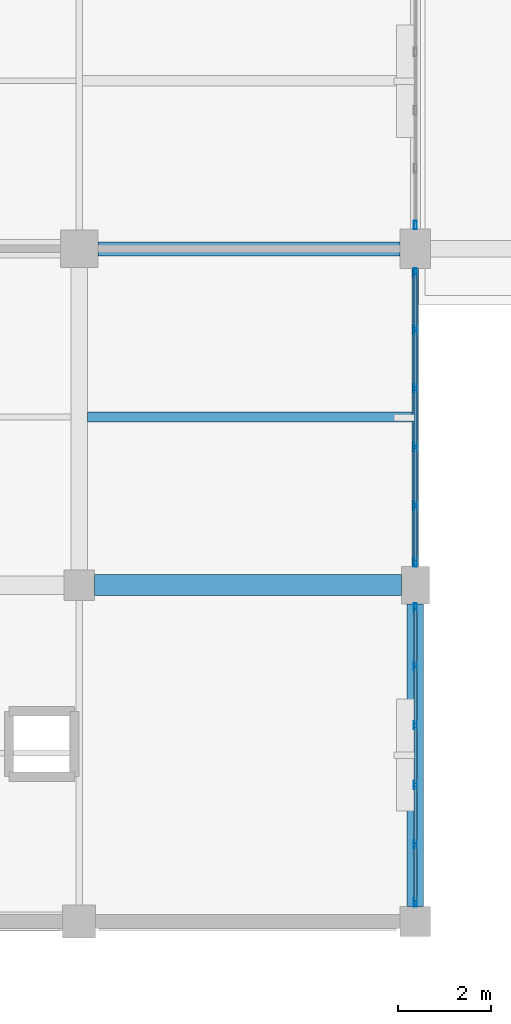
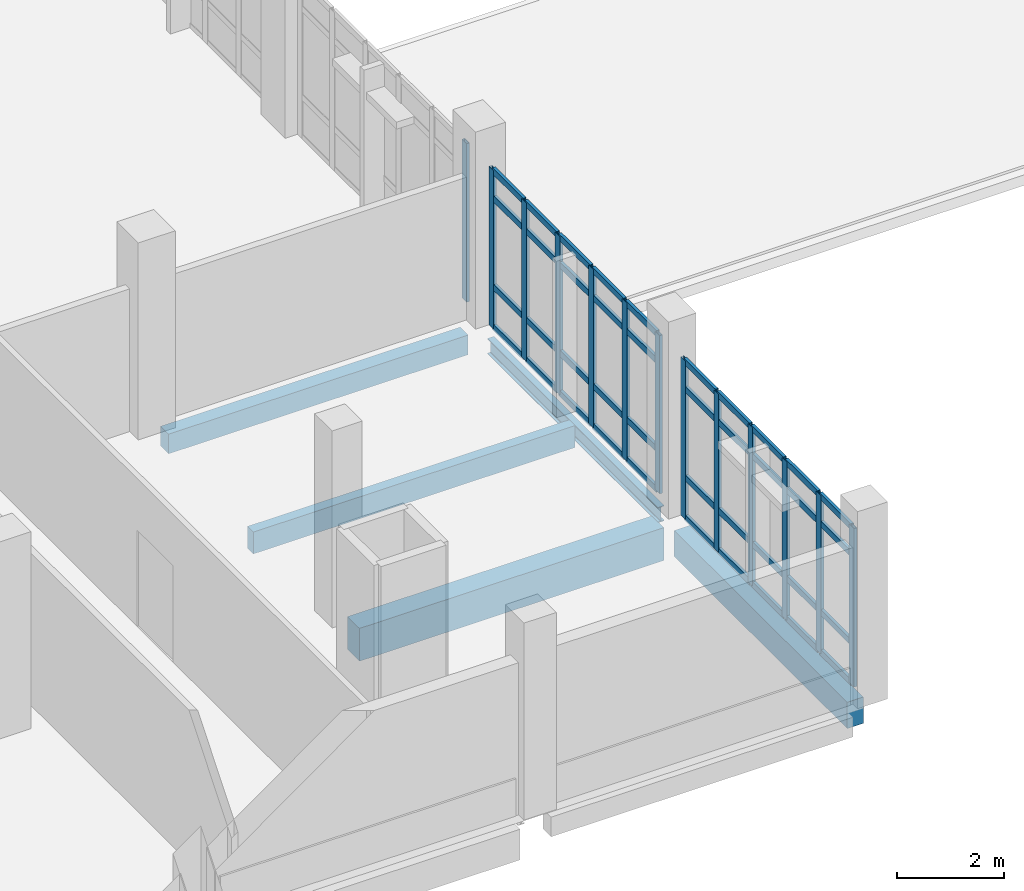
# One storey, part 13 of 134: 53 members, 5 beams, 3 elements without a shape of their own.
"""IFC4 building model written with IfcOpenShell, lengths in metres."""

import ifcopenshell
import ifcopenshell.guid

model = None  # the IFC model being written
_history = None  # IfcOwnerHistory: only IFC2X3 demands one
_inside = {}  # id of a spatial element -> (the spatial element, [elements in it])
_under = {}  # id of a project, library or spatial element -> (it, [spatial elements below it])
_declared = {}  # id of a project -> (the project, [libraries it declares])
_typed = {}  # id of a type object -> (the type object, [elements of that type])
_made_of = {}  # id of a material, layer set ... -> (it, [elements and type objects made of it])


def new_model(schema):
    """Start an empty IFC model of exactly this schema.

    Asked for "IFC4X3", IfcOpenShell would pick the latest addendum, in which some entities
    have other attributes; the version numbers below select the first issue.
    IFC2X3 requires an IfcOwnerHistory on every rooted entity: one is made here for all.
    """
    global model, _history
    if schema == "IFC4X3":
        model = ifcopenshell.file(schema_version=(4, 3, 0, 0))
    else:
        model = ifcopenshell.file(schema=schema)
    _inside.clear()
    _under.clear()
    _declared.clear()
    _typed.clear()
    _made_of.clear()
    _history = None
    if model.schema == "IFC2X3":
        org = make("IfcOrganization", Name="unknown")
        user = make(
            "IfcPersonAndOrganization",
            ThePerson=make("IfcPerson", FamilyName="unknown"),
            TheOrganization=org,
        )
        app = make(
            "IfcApplication",
            ApplicationDeveloper=org,
            Version="unknown",
            ApplicationFullName="unknown",
            ApplicationIdentifier="unknown",
        )
        _history = make(
            "IfcOwnerHistory",
            OwningUser=user,
            OwningApplication=app,
            ChangeAction="ADDED",
            CreationDate=0,
        )
    return model


def make(cls, **values):
    """One entity of the class cls with the attributes given. An attribute that is None is left unset."""
    return model.create_entity(
        cls, **{name: value for name, value in values.items() if value is not None}
    )


def rooted(cls, **values):
    """An entity with a GlobalId (a new one), such as an element, a storey or a relation."""
    return make(cls, GlobalId=ifcopenshell.guid.new(), OwnerHistory=_history, **values)


def si_unit(unit_type, name, prefix=None):
    """IfcSIUnit, for example si_unit("LENGTHUNIT", "METRE", prefix="MILLI")."""
    return make("IfcSIUnit", UnitType=unit_type, Prefix=prefix, Name=name)


def assignment(units):
    """IfcUnitAssignment: the units of a project."""
    return None if units is None else make("IfcUnitAssignment", Units=units)


def point(xyz):
    """IfcCartesianPoint."""
    return None if xyz is None else make("IfcCartesianPoint", Coordinates=xyz)


def direction(xyz):
    """IfcDirection."""
    return None if xyz is None else make("IfcDirection", DirectionRatios=xyz)


def frame(location, z_axis=None, x_axis=None):
    """IfcAxis2Placement3D, a coordinate frame: its origin and axes. An axis left out is left unset."""
    return make(
        "IfcAxis2Placement3D",
        Location=point(location),
        Axis=direction(z_axis),
        RefDirection=direction(x_axis),
    )


def frame_2d(location, x_axis=None):
    """IfcAxis2Placement2D, a coordinate frame in the plane: its origin and x axis."""
    return make(
        "IfcAxis2Placement2D", Location=point(location), RefDirection=direction(x_axis)
    )


def origin():
    """The frame at (0, 0, 0) with its axes left unset."""
    return frame((0.0, 0.0, 0.0))


def origin_2d():
    """The frame at (0, 0) in the plane with its x axis left unset."""
    return frame_2d((0.0, 0.0))


def place(relative_to, where):
    """IfcLocalPlacement: puts the frame where relative to a parent placement (None: the world)."""
    return make(
        "IfcLocalPlacement", PlacementRelTo=relative_to, RelativePlacement=where
    )


def context(
    kind, dimensions, precision=None, world=None, true_north=None, identifier=None
):
    """IfcGeometricRepresentationContext, for example the 3D "Model" context."""
    return make(
        "IfcGeometricRepresentationContext",
        ContextIdentifier=identifier,
        ContextType=kind,
        CoordinateSpaceDimension=dimensions,
        Precision=precision,
        WorldCoordinateSystem=world,
        TrueNorth=true_north,
    )


def subcontext(parent, identifier, kind, view, scale=None):
    """IfcGeometricRepresentationSubContext, for example "Body" below "Model"."""
    return make(
        "IfcGeometricRepresentationSubContext",
        ContextIdentifier=identifier,
        ContextType=kind,
        ParentContext=parent,
        TargetScale=scale,
        TargetView=view,
    )


def project(units=None, contexts=None):
    """IfcProject with its units and contexts."""
    return rooted(
        "IfcProject",
        Name="project",
        RepresentationContexts=contexts,
        UnitsInContext=assignment(units),
    )


def spatial(cls, under=None, at=None, **own):
    """A site, building, storey or space (cls), placed at a placement, below another one or the project."""
    s = rooted(cls, ObjectPlacement=at, **own)
    if under is not None:
        _under.setdefault(under.id(), (under, []))[1].append(s)
    return s


def profile(cls, at=None, kind="AREA", **sizes):
    """A parametric profile (cls). Its sizes go by their IFC names, for example OverallWidth=200.0."""
    return make(cls, ProfileType=kind, Position=at, **sizes)


def rectangle(**sizes):
    """IfcRectangleProfileDef."""
    return profile("IfcRectangleProfileDef", **sizes)


def hollow_rectangle(**sizes):
    """IfcRectangleHollowProfileDef."""
    return profile("IfcRectangleHollowProfileDef", **sizes)


def i_section(**sizes):
    """IfcIShapeProfileDef."""
    return profile("IfcIShapeProfileDef", **sizes)


def extrude(swept, where, along, depth):
    """IfcExtrudedAreaSolid: the profile swept, set in the frame where, extruded along a direction by depth."""
    return make(
        "IfcExtrudedAreaSolid",
        SweptArea=swept,
        Position=where,
        ExtrudedDirection=direction(along),
        Depth=depth,
    )


def shape(context_of_items, identifier, shape_type, items):
    """IfcShapeRepresentation: the items that make up one representation, for example the "Body"."""
    return make(
        "IfcShapeRepresentation",
        ContextOfItems=context_of_items,
        RepresentationIdentifier=identifier,
        RepresentationType=shape_type,
        Items=items,
    )


def material(Name=None, Category=None):
    """IfcMaterial."""
    return make("IfcMaterial", Name=Name, Category=Category)


def material_profile(
    of_material, cross_section, Name=None, Category=None, Priority=None
):
    """IfcMaterialProfile: a cross section and its material."""
    return make(
        "IfcMaterialProfile",
        Name=Name,
        Material=of_material,
        Profile=cross_section,
        Priority=Priority,
        Category=Category,
    )


def profile_set(profiles, Name=None, composite=None):
    """IfcMaterialProfileSet."""
    return make(
        "IfcMaterialProfileSet",
        Name=Name,
        MaterialProfiles=profiles,
        CompositeProfile=composite,
    )


def made_of(thing, what):
    """Note that an element or type object is made of a material, layer set ...; save() writes the relation."""
    if what is not None:
        _made_of.setdefault(what.id(), (what, []))[1].append(thing)
    return thing


def type_object(cls, material=None, **own):
    """A type object (cls), such as IfcWallType, which elements share."""
    return made_of(rooted(cls, **own), material)


def element(
    cls,
    number,
    at=None,
    inside=None,
    cuts=None,
    type_object=None,
    material=None,
    context=None,
    identifier="Body",
    shape_type=None,
    held_by="IfcProductDefinitionShape",
    body=None,
    shapes=None,
    **own,
):
    """One element of the class cls, such as IfcWall. Its Tag is "e" and its number.

    at: its placement. inside: the storey or other place that contains it. cuts: it is an
    opening in that element (IfcRelVoidsElement). A single representation is given by context,
    identifier, shape_type and body (its items); several are given by shapes. held_by: the class
    of the entity that holds the representations. save() writes the other relations.
    """
    e = rooted(cls, Tag="e%d" % number, ObjectPlacement=at, **own)
    if body is not None:
        shapes = [shape(context, identifier, shape_type, body)]
    if shapes is not None:
        e.Representation = make(held_by, Representations=shapes)
    if inside is not None:
        _inside.setdefault(inside.id(), (inside, []))[1].append(e)
    if cuts is not None:
        rooted(
            "IfcRelVoidsElement", RelatingBuildingElement=cuts, RelatedOpeningElement=e
        )
    if type_object is not None:
        _typed.setdefault(type_object.id(), (type_object, []))[1].append(e)
    return made_of(e, material)


def aggregate(whole, parts):
    """IfcRelAggregates: a whole, such as a stair, and the parts it consists of."""
    return rooted("IfcRelAggregates", RelatingObject=whole, RelatedObjects=parts)


def save(model, path):
    """Write the relations noted so far, then the file.

    IfcRelAggregates (storeys below a building ...), IfcRelContainedInSpatialStructure (elements
    in a storey), IfcRelDefinesByType, IfcRelAssociatesMaterial and IfcRelDeclares: one each for
    every whole, place, type object, material and project.
    """
    for whole, parts in _under.values():
        aggregate(whole, parts)
    for where, things in _inside.values():
        rooted(
            "IfcRelContainedInSpatialStructure",
            RelatedElements=things,
            RelatingStructure=where,
        )
    for kind, things in _typed.values():
        rooted("IfcRelDefinesByType", RelatedObjects=things, RelatingType=kind)
    for what, things in _made_of.values():
        rooted("IfcRelAssociatesMaterial", RelatedObjects=things, RelatingMaterial=what)
    for by, libraries in _declared.values():
        rooted("IfcRelDeclares", RelatingContext=by, RelatedDefinitions=libraries)
    model.write(path)


model = new_model("IFC4")

# Units and contexts
model_context = context("Model", 3, precision=1e-05, world=origin(), true_north=direction((0.0, 1.0)))
body_context = subcontext(model_context, "Body", "Model", "MODEL_VIEW")
ifc_project = project(units=[si_unit("LENGTHUNIT", "METRE"), si_unit("AREAUNIT", "SQUARE_METRE"), si_unit("VOLUMEUNIT", "CUBIC_METRE"), si_unit("PLANEANGLEUNIT", "RADIAN"), si_unit("MASSUNIT", "GRAM", prefix="KILO")], contexts=[model_context])

# Site, building, storey
site_placement = place(None, origin())
site = spatial("IfcSite", under=ifc_project, at=site_placement, CompositionType="ELEMENT")
building_placement = place(site_placement, origin())
building = spatial("IfcBuilding", under=site, at=building_placement, Name="Kalluvel Institute of Natural Sciences", CompositionType="ELEMENT")
storey_placement = place(building_placement, frame((0.0, 0.0, 5.39990234375)))
storey = spatial("IfcBuildingStorey", under=building, at=storey_placement, Name="L01", CompositionType="ELEMENT", Elevation=5.39990234375)

# Beams
ifc_material_1 = material(Name="Steel E350 Grade 350", Category="steel")
ifc_material_profile_1 = material_profile(ifc_material_1, i_section(OverallWidth=0.139892578125, OverallDepth=0.35009765625, WebThickness=0.008056640625, FlangeThickness=0.01416015625, FilletRadius=0.013916015625, at=origin_2d()), Name="ISMB 350")
ifc_profile_set_1 = profile_set([ifc_material_profile_1], Name="Steel E350 Grade 350")
beam_type_1 = type_object("IfcBeamType", Name="BM-ISMB350", PredefinedType="BEAM", material=ifc_profile_set_1)
beam_1_placement = place(storey_placement, frame((35.60009765625, 21.60009765625, -0.474853515625), z_axis=(0.0, 1.0, 0.0), x_axis=(-1.0, 0.0, 0.0)))
element("IfcBeam", 1, at=beam_1_placement, inside=storey, type_object=beam_type_1, Name="L01 girder GIR-L01-NS-X356-Y212", PredefinedType="BEAM", context=body_context, shape_type="SweptSolid", body=[
    extrude(i_section(OverallWidth=0.139892578125, OverallDepth=0.35009765625, WebThickness=0.008056640625, FlangeThickness=0.01416015625, FilletRadius=0.013916015625, at=origin_2d()), origin(), (0.0, 0.0, 1.0), 6.375),
])
ifc_material_2 = material(Name="Concrete M40", Category="concrete")
ifc_material_profile_2 = material_profile(ifc_material_2, rectangle(XDim=0.35009765625, YDim=0.60009765625, at=origin_2d()), Name="RCB 350x600")
ifc_profile_set_2 = profile_set([ifc_material_profile_2], Name="Concrete M40")
beam_type_2 = type_object("IfcBeamType", Name="BM-RC350x600", PredefinedType="BEAM", material=ifc_profile_set_2)
beam_2_placement = place(storey_placement, frame((35.60009765625, 14.324951171875, -0.599853515625), z_axis=(0.0, 1.0, 0.0), x_axis=(-1.0, 0.0, 0.0)))
element("IfcBeam", 2, at=beam_2_placement, inside=storey, type_object=beam_type_2, Name="L01 girder GIR-L01-NS-X356-Y140", PredefinedType="BEAM", context=body_context, shape_type="SweptSolid", body=[
    extrude(rectangle(XDim=0.35009765625, YDim=0.60009765625, at=origin_2d()), origin(), (0.0, 0.0, 1.0), 6.47509765625),
])
ifc_material_profile_3 = material_profile(ifc_material_2, rectangle(XDim=0.449951171875, YDim=0.75, at=origin_2d()), Name="RCB 450x750")
ifc_profile_set_3 = profile_set([ifc_material_profile_3], Name="Concrete M40")
beam_type_3 = type_object("IfcBeamType", Name="BM-RC450x750", PredefinedType="BEAM", material=ifc_profile_set_3)
beam_3_placement = place(storey_placement, frame((28.72509765625, 21.199951171875, -0.6748046875), z_axis=(1.0, 0.0, 0.0), x_axis=(0.0, 1.0, 0.0)))
element("IfcBeam", 3, at=beam_3_placement, inside=storey, type_object=beam_type_3, Name="L01 girder GIR-L01-EW-X284-Y212", PredefinedType="BEAM", context=body_context, shape_type="SweptSolid", body=[
    extrude(rectangle(XDim=0.449951171875, YDim=0.75, at=origin_2d()), origin(), (0.0, 0.0, 1.0), 6.574951171875),
])

# Curtain wall, members
ifc_material_3 = material(Name="Aluminium AW-6063 T6", Category="aluminium")
curtain_wall_type = type_object("IfcCurtainWallType", Name="CW-DRY-45", PredefinedType="USERDEFINED", material=ifc_material_3)
curtain_wall_1_placement = place(storey_placement, origin())
curtain_wall_1 = element("IfcCurtainWall", 4, at=curtain_wall_1_placement, inside=storey, type_object=curtain_wall_type, Name="L01 Gothic lancet curtain wall CWA-L01-X356-Y144", ObjectType="UNITISED LANCET FACADE", PredefinedType="USERDEFINED")
ifc_material_profile_4 = material_profile(ifc_material_3, hollow_rectangle(XDim=0.06494140625, YDim=0.179931640625, WallThickness=0.00439453125, at=origin_2d()), Name="CWM 65x180")
ifc_profile_set_4 = profile_set([ifc_material_profile_4], Name="Aluminium AW-6063 T6")
member_type_1 = type_object("IfcMemberType", Name="CWM-65x180", PredefinedType="MULLION", material=ifc_profile_set_4)
member_1_placement = place(storey_placement, frame((35.60009765625, 14.407470703125, 0.0), z_axis=(0.0, 0.0, 1.0), x_axis=(-1.0, 0.0, 0.0)))
member_1 = element("IfcMember", 5, at=member_1_placement, type_object=member_type_1, Name="CW-03 mullion 1", PredefinedType="MULLION", context=body_context, shape_type="SweptSolid", body=[
    extrude(hollow_rectangle(XDim=0.06494140625, YDim=0.179931640625, WallThickness=0.00439453125, at=origin_2d()), origin(), (0.0, 0.0, 1.0), 3.6201171875),
])
member_2_placement = place(storey_placement, frame((35.60009765625, 15.64990234375, 0.0), z_axis=(0.0, 0.0, 1.0), x_axis=(-1.0, 0.0, 0.0)))
member_2 = element("IfcMember", 6, at=member_2_placement, type_object=member_type_1, Name="CW-03 mullion 2", PredefinedType="MULLION", context=body_context, shape_type="SweptSolid", body=[
    extrude(hollow_rectangle(XDim=0.06494140625, YDim=0.179931640625, WallThickness=0.00439453125, at=origin_2d()), origin(), (0.0, 0.0, 1.0), 3.6201171875),
])
member_3_placement = place(storey_placement, frame((35.60009765625, 16.925048828125, 0.0), z_axis=(0.0, 0.0, 1.0), x_axis=(-1.0, 0.0, 0.0)))
member_3 = element("IfcMember", 7, at=member_3_placement, type_object=member_type_1, Name="CW-03 mullion 3", PredefinedType="MULLION", context=body_context, shape_type="SweptSolid", body=[
    extrude(hollow_rectangle(XDim=0.06494140625, YDim=0.179931640625, WallThickness=0.00439453125, at=origin_2d()), origin(), (0.0, 0.0, 1.0), 3.6201171875),
])
member_4_placement = place(storey_placement, frame((35.60009765625, 18.199951171875, 0.0), z_axis=(0.0, 0.0, 1.0), x_axis=(-1.0, 0.0, 0.0)))
member_4 = element("IfcMember", 8, at=member_4_placement, type_object=member_type_1, Name="CW-03 mullion 4", PredefinedType="MULLION", context=body_context, shape_type="SweptSolid", body=[
    extrude(hollow_rectangle(XDim=0.06494140625, YDim=0.179931640625, WallThickness=0.00439453125, at=origin_2d()), origin(), (0.0, 0.0, 1.0), 3.6201171875),
])
member_5_placement = place(storey_placement, frame((35.60009765625, 19.47509765625, 0.0), z_axis=(0.0, 0.0, 1.0), x_axis=(-1.0, 0.0, 0.0)))
member_5 = element("IfcMember", 9, at=member_5_placement, type_object=member_type_1, Name="CW-03 mullion 5", PredefinedType="MULLION", context=body_context, shape_type="SweptSolid", body=[
    extrude(hollow_rectangle(XDim=0.06494140625, YDim=0.179931640625, WallThickness=0.00439453125, at=origin_2d()), origin(), (0.0, 0.0, 1.0), 3.6201171875),
])
member_6_placement = place(storey_placement, frame((35.60009765625, 20.717529296875, 0.0), z_axis=(0.0, 0.0, 1.0), x_axis=(-1.0, 0.0, 0.0)))
member_6 = element("IfcMember", 10, at=member_6_placement, type_object=member_type_1, Name="CW-03 mullion 6", PredefinedType="MULLION", context=body_context, shape_type="SweptSolid", body=[
    extrude(hollow_rectangle(XDim=0.06494140625, YDim=0.179931640625, WallThickness=0.00439453125, at=origin_2d()), origin(), (0.0, 0.0, 1.0), 3.6201171875),
])

curtain_wall_2_placement = place(storey_placement, origin())
curtain_wall_2 = element("IfcCurtainWall", 11, at=curtain_wall_2_placement, inside=storey, type_object=curtain_wall_type, Name="L01 Gothic lancet curtain wall CWA-L01-X356-Y216", ObjectType="UNITISED LANCET FACADE", PredefinedType="USERDEFINED")
member_7_placement = place(storey_placement, frame((35.60009765625, 21.6826171875, 0.0), z_axis=(0.0, 0.0, 1.0), x_axis=(-1.0, 0.0, 0.0)))
member_7 = element("IfcMember", 12, at=member_7_placement, type_object=member_type_1, Name="CW-03 mullion 1", PredefinedType="MULLION", context=body_context, shape_type="SweptSolid", body=[
    extrude(hollow_rectangle(XDim=0.06494140625, YDim=0.179931640625, WallThickness=0.00439453125, at=origin_2d()), origin(), (0.0, 0.0, 1.0), 3.6201171875),
])
member_8_placement = place(storey_placement, frame((35.60009765625, 22.905029296875, 0.0), z_axis=(0.0, 0.0, 1.0), x_axis=(-1.0, 0.0, 0.0)))
member_8 = element("IfcMember", 13, at=member_8_placement, type_object=member_type_1, Name="CW-03 mullion 2", PredefinedType="MULLION", context=body_context, shape_type="SweptSolid", body=[
    extrude(hollow_rectangle(XDim=0.06494140625, YDim=0.179931640625, WallThickness=0.00439453125, at=origin_2d()), origin(), (0.0, 0.0, 1.0), 3.6201171875),
])
member_9_placement = place(storey_placement, frame((35.60009765625, 24.159912109375, 0.0), z_axis=(0.0, 0.0, 1.0), x_axis=(-1.0, 0.0, 0.0)))
member_9 = element("IfcMember", 14, at=member_9_placement, type_object=member_type_1, Name="CW-03 mullion 3", PredefinedType="MULLION", context=body_context, shape_type="SweptSolid", body=[
    extrude(hollow_rectangle(XDim=0.06494140625, YDim=0.179931640625, WallThickness=0.00439453125, at=origin_2d()), origin(), (0.0, 0.0, 1.0), 3.6201171875),
])
member_10_placement = place(storey_placement, frame((35.60009765625, 25.4150390625, 0.0), z_axis=(0.0, 0.0, 1.0), x_axis=(-1.0, 0.0, 0.0)))
member_10 = element("IfcMember", 15, at=member_10_placement, type_object=member_type_1, Name="CW-03 mullion 4", PredefinedType="MULLION", context=body_context, shape_type="SweptSolid", body=[
    extrude(hollow_rectangle(XDim=0.06494140625, YDim=0.179931640625, WallThickness=0.00439453125, at=origin_2d()), origin(), (0.0, 0.0, 1.0), 3.6201171875),
])
member_11_placement = place(storey_placement, frame((35.60009765625, 26.669921875, 0.0), z_axis=(0.0, 0.0, 1.0), x_axis=(-1.0, 0.0, 0.0)))
member_11 = element("IfcMember", 16, at=member_11_placement, type_object=member_type_1, Name="CW-03 mullion 5", PredefinedType="MULLION", context=body_context, shape_type="SweptSolid", body=[
    extrude(hollow_rectangle(XDim=0.06494140625, YDim=0.179931640625, WallThickness=0.00439453125, at=origin_2d()), origin(), (0.0, 0.0, 1.0), 3.6201171875),
])
member_12_placement = place(storey_placement, frame((35.60009765625, 27.892578125, 0.0), z_axis=(0.0, 0.0, 1.0), x_axis=(-1.0, 0.0, 0.0)))
member_12 = element("IfcMember", 17, at=member_12_placement, type_object=member_type_1, Name="CW-03 mullion 6", PredefinedType="MULLION", context=body_context, shape_type="SweptSolid", body=[
    extrude(hollow_rectangle(XDim=0.06494140625, YDim=0.179931640625, WallThickness=0.00439453125, at=origin_2d()), origin(), (0.0, 0.0, 1.0), 3.6201171875),
])

# Curtain wall, member
curtain_wall_3_placement = place(storey_placement, origin())
curtain_wall_3 = element("IfcCurtainWall", 18, at=curtain_wall_3_placement, inside=storey, type_object=curtain_wall_type, Name="L01 Gothic lancet curtain wall CWA-L01-X356-Y289", ObjectType="UNITISED LANCET FACADE", PredefinedType="USERDEFINED")
member_13_placement = place(storey_placement, frame((35.60009765625, 28.907470703125, 0.0), z_axis=(0.0, 0.0, 1.0), x_axis=(-1.0, 0.0, 0.0)))
member_13 = element("IfcMember", 19, at=member_13_placement, type_object=member_type_1, Name="CW-03 mullion 1", PredefinedType="MULLION", context=body_context, shape_type="SweptSolid", body=[
    extrude(hollow_rectangle(XDim=0.06494140625, YDim=0.179931640625, WallThickness=0.00439453125, at=origin_2d()), origin(), (0.0, 0.0, 1.0), 3.6201171875),
])
aggregate(curtain_wall_3, [member_13])

# Member
ifc_material_profile_5 = material_profile(ifc_material_3, hollow_rectangle(XDim=0.06494140625, YDim=0.139892578125, WallThickness=0.00439453125, at=origin_2d()), Name="CWT 65x140")
ifc_profile_set_5 = profile_set([ifc_material_profile_5], Name="Aluminium AW-6063 T6")
member_type_2 = type_object("IfcMemberType", Name="CWT-65x140", PredefinedType="USERDEFINED", material=ifc_profile_set_5)
member_14_placement = place(storey_placement, frame((35.60009765625, 14.43994140625, 0.03271484375), z_axis=(0.0, 1.0, 0.0), x_axis=(-1.0, 0.0, 0.0)))
member_14 = element("IfcMember", 20, at=member_14_placement, type_object=member_type_2, Name="CW-03 transom 1.1", ObjectType="TRANSOM", PredefinedType="USERDEFINED", context=body_context, shape_type="SweptSolid", body=[
    extrude(hollow_rectangle(XDim=0.06494140625, YDim=0.139892578125, WallThickness=0.00439453125, at=origin_2d()), origin(), (0.0, 0.0, 1.0), 1.177490234375),
])

member_15_placement = place(storey_placement, frame((35.60009765625, 14.43994140625, 0.9501953125), z_axis=(0.0, 1.0, 0.0), x_axis=(-1.0, 0.0, 0.0)))
member_15 = element("IfcMember", 21, at=member_15_placement, type_object=member_type_2, Name="CW-03 transom 1.2", ObjectType="TRANSOM", PredefinedType="USERDEFINED", context=body_context, shape_type="SweptSolid", body=[
    extrude(hollow_rectangle(XDim=0.06494140625, YDim=0.139892578125, WallThickness=0.00439453125, at=origin_2d()), origin(), (0.0, 0.0, 1.0), 1.177490234375),
])

member_16_placement = place(storey_placement, frame((35.60009765625, 14.43994140625, 2.97021484375), z_axis=(0.0, 1.0, 0.0), x_axis=(-1.0, 0.0, 0.0)))
member_16 = element("IfcMember", 22, at=member_16_placement, type_object=member_type_2, Name="CW-03 transom 1.3", ObjectType="TRANSOM", PredefinedType="USERDEFINED", context=body_context, shape_type="SweptSolid", body=[
    extrude(hollow_rectangle(XDim=0.06494140625, YDim=0.139892578125, WallThickness=0.00439453125, at=origin_2d()), origin(), (0.0, 0.0, 1.0), 1.177490234375),
])

member_17_placement = place(storey_placement, frame((35.60009765625, 14.43994140625, 3.587646484375), z_axis=(0.0, 1.0, 0.0), x_axis=(-1.0, 0.0, 0.0)))
member_17 = element("IfcMember", 23, at=member_17_placement, type_object=member_type_2, Name="CW-03 transom 1.4", ObjectType="TRANSOM", PredefinedType="USERDEFINED", context=body_context, shape_type="SweptSolid", body=[
    extrude(hollow_rectangle(XDim=0.06494140625, YDim=0.139892578125, WallThickness=0.00439453125, at=origin_2d()), origin(), (0.0, 0.0, 1.0), 1.177490234375),
])

member_18_placement = place(storey_placement, frame((35.60009765625, 15.6826171875, 0.03271484375), z_axis=(0.0, 1.0, 0.0), x_axis=(-1.0, 0.0, 0.0)))
member_18 = element("IfcMember", 24, at=member_18_placement, type_object=member_type_2, Name="CW-03 transom 2.1", ObjectType="TRANSOM", PredefinedType="USERDEFINED", context=body_context, shape_type="SweptSolid", body=[
    extrude(hollow_rectangle(XDim=0.06494140625, YDim=0.139892578125, WallThickness=0.00439453125, at=origin_2d()), origin(), (0.0, 0.0, 1.0), 1.2099609375),
])

member_19_placement = place(storey_placement, frame((35.60009765625, 15.6826171875, 0.9501953125), z_axis=(0.0, 1.0, 0.0), x_axis=(-1.0, 0.0, 0.0)))
member_19 = element("IfcMember", 25, at=member_19_placement, type_object=member_type_2, Name="CW-03 transom 2.2", ObjectType="TRANSOM", PredefinedType="USERDEFINED", context=body_context, shape_type="SweptSolid", body=[
    extrude(hollow_rectangle(XDim=0.06494140625, YDim=0.139892578125, WallThickness=0.00439453125, at=origin_2d()), origin(), (0.0, 0.0, 1.0), 1.2099609375),
])

member_20_placement = place(storey_placement, frame((35.60009765625, 15.6826171875, 2.97021484375), z_axis=(0.0, 1.0, 0.0), x_axis=(-1.0, 0.0, 0.0)))
member_20 = element("IfcMember", 26, at=member_20_placement, type_object=member_type_2, Name="CW-03 transom 2.3", ObjectType="TRANSOM", PredefinedType="USERDEFINED", context=body_context, shape_type="SweptSolid", body=[
    extrude(hollow_rectangle(XDim=0.06494140625, YDim=0.139892578125, WallThickness=0.00439453125, at=origin_2d()), origin(), (0.0, 0.0, 1.0), 1.2099609375),
])

member_21_placement = place(storey_placement, frame((35.60009765625, 15.6826171875, 3.587646484375), z_axis=(0.0, 1.0, 0.0), x_axis=(-1.0, 0.0, 0.0)))
member_21 = element("IfcMember", 27, at=member_21_placement, type_object=member_type_2, Name="CW-03 transom 2.4", ObjectType="TRANSOM", PredefinedType="USERDEFINED", context=body_context, shape_type="SweptSolid", body=[
    extrude(hollow_rectangle(XDim=0.06494140625, YDim=0.139892578125, WallThickness=0.00439453125, at=origin_2d()), origin(), (0.0, 0.0, 1.0), 1.2099609375),
])

member_22_placement = place(storey_placement, frame((35.60009765625, 16.95751953125, 0.03271484375), z_axis=(0.0, 1.0, 0.0), x_axis=(-1.0, 0.0, 0.0)))
member_22 = element("IfcMember", 28, at=member_22_placement, type_object=member_type_2, Name="CW-03 transom 3.1", ObjectType="TRANSOM", PredefinedType="USERDEFINED", context=body_context, shape_type="SweptSolid", body=[
    extrude(hollow_rectangle(XDim=0.06494140625, YDim=0.139892578125, WallThickness=0.00439453125, at=origin_2d()), origin(), (0.0, 0.0, 1.0), 1.2099609375),
])

member_23_placement = place(storey_placement, frame((35.60009765625, 16.95751953125, 0.9501953125), z_axis=(0.0, 1.0, 0.0), x_axis=(-1.0, 0.0, 0.0)))
member_23 = element("IfcMember", 29, at=member_23_placement, type_object=member_type_2, Name="CW-03 transom 3.2", ObjectType="TRANSOM", PredefinedType="USERDEFINED", context=body_context, shape_type="SweptSolid", body=[
    extrude(hollow_rectangle(XDim=0.06494140625, YDim=0.139892578125, WallThickness=0.00439453125, at=origin_2d()), origin(), (0.0, 0.0, 1.0), 1.2099609375),
])

member_24_placement = place(storey_placement, frame((35.60009765625, 16.95751953125, 2.97021484375), z_axis=(0.0, 1.0, 0.0), x_axis=(-1.0, 0.0, 0.0)))
member_24 = element("IfcMember", 30, at=member_24_placement, type_object=member_type_2, Name="CW-03 transom 3.3", ObjectType="TRANSOM", PredefinedType="USERDEFINED", context=body_context, shape_type="SweptSolid", body=[
    extrude(hollow_rectangle(XDim=0.06494140625, YDim=0.139892578125, WallThickness=0.00439453125, at=origin_2d()), origin(), (0.0, 0.0, 1.0), 1.2099609375),
])

member_25_placement = place(storey_placement, frame((35.60009765625, 16.95751953125, 3.587646484375), z_axis=(0.0, 1.0, 0.0), x_axis=(-1.0, 0.0, 0.0)))
member_25 = element("IfcMember", 31, at=member_25_placement, type_object=member_type_2, Name="CW-03 transom 3.4", ObjectType="TRANSOM", PredefinedType="USERDEFINED", context=body_context, shape_type="SweptSolid", body=[
    extrude(hollow_rectangle(XDim=0.06494140625, YDim=0.139892578125, WallThickness=0.00439453125, at=origin_2d()), origin(), (0.0, 0.0, 1.0), 1.2099609375),
])

member_26_placement = place(storey_placement, frame((35.60009765625, 18.232421875, 0.03271484375), z_axis=(0.0, 1.0, 0.0), x_axis=(-1.0, 0.0, 0.0)))
member_26 = element("IfcMember", 32, at=member_26_placement, type_object=member_type_2, Name="CW-03 transom 4.1", ObjectType="TRANSOM", PredefinedType="USERDEFINED", context=body_context, shape_type="SweptSolid", body=[
    extrude(hollow_rectangle(XDim=0.06494140625, YDim=0.139892578125, WallThickness=0.00439453125, at=origin_2d()), origin(), (0.0, 0.0, 1.0), 1.2099609375),
])

member_27_placement = place(storey_placement, frame((35.60009765625, 18.232421875, 0.9501953125), z_axis=(0.0, 1.0, 0.0), x_axis=(-1.0, 0.0, 0.0)))
member_27 = element("IfcMember", 33, at=member_27_placement, type_object=member_type_2, Name="CW-03 transom 4.2", ObjectType="TRANSOM", PredefinedType="USERDEFINED", context=body_context, shape_type="SweptSolid", body=[
    extrude(hollow_rectangle(XDim=0.06494140625, YDim=0.139892578125, WallThickness=0.00439453125, at=origin_2d()), origin(), (0.0, 0.0, 1.0), 1.2099609375),
])

member_28_placement = place(storey_placement, frame((35.60009765625, 18.232421875, 2.97021484375), z_axis=(0.0, 1.0, 0.0), x_axis=(-1.0, 0.0, 0.0)))
member_28 = element("IfcMember", 34, at=member_28_placement, type_object=member_type_2, Name="CW-03 transom 4.3", ObjectType="TRANSOM", PredefinedType="USERDEFINED", context=body_context, shape_type="SweptSolid", body=[
    extrude(hollow_rectangle(XDim=0.06494140625, YDim=0.139892578125, WallThickness=0.00439453125, at=origin_2d()), origin(), (0.0, 0.0, 1.0), 1.2099609375),
])

member_29_placement = place(storey_placement, frame((35.60009765625, 18.232421875, 3.587646484375), z_axis=(0.0, 1.0, 0.0), x_axis=(-1.0, 0.0, 0.0)))
member_29 = element("IfcMember", 35, at=member_29_placement, type_object=member_type_2, Name="CW-03 transom 4.4", ObjectType="TRANSOM", PredefinedType="USERDEFINED", context=body_context, shape_type="SweptSolid", body=[
    extrude(hollow_rectangle(XDim=0.06494140625, YDim=0.139892578125, WallThickness=0.00439453125, at=origin_2d()), origin(), (0.0, 0.0, 1.0), 1.2099609375),
])

member_30_placement = place(storey_placement, frame((35.60009765625, 19.507568359375, 0.03271484375), z_axis=(0.0, 1.0, 0.0), x_axis=(-1.0, 0.0, 0.0)))
member_30 = element("IfcMember", 36, at=member_30_placement, type_object=member_type_2, Name="CW-03 transom 5.1", ObjectType="TRANSOM", PredefinedType="USERDEFINED", context=body_context, shape_type="SweptSolid", body=[
    extrude(hollow_rectangle(XDim=0.06494140625, YDim=0.139892578125, WallThickness=0.00439453125, at=origin_2d()), origin(), (0.0, 0.0, 1.0), 1.177490234375),
])

member_31_placement = place(storey_placement, frame((35.60009765625, 19.507568359375, 0.9501953125), z_axis=(0.0, 1.0, 0.0), x_axis=(-1.0, 0.0, 0.0)))
member_31 = element("IfcMember", 37, at=member_31_placement, type_object=member_type_2, Name="CW-03 transom 5.2", ObjectType="TRANSOM", PredefinedType="USERDEFINED", context=body_context, shape_type="SweptSolid", body=[
    extrude(hollow_rectangle(XDim=0.06494140625, YDim=0.139892578125, WallThickness=0.00439453125, at=origin_2d()), origin(), (0.0, 0.0, 1.0), 1.177490234375),
])

member_32_placement = place(storey_placement, frame((35.60009765625, 19.507568359375, 2.97021484375), z_axis=(0.0, 1.0, 0.0), x_axis=(-1.0, 0.0, 0.0)))
member_32 = element("IfcMember", 38, at=member_32_placement, type_object=member_type_2, Name="CW-03 transom 5.3", ObjectType="TRANSOM", PredefinedType="USERDEFINED", context=body_context, shape_type="SweptSolid", body=[
    extrude(hollow_rectangle(XDim=0.06494140625, YDim=0.139892578125, WallThickness=0.00439453125, at=origin_2d()), origin(), (0.0, 0.0, 1.0), 1.177490234375),
])

member_33_placement = place(storey_placement, frame((35.60009765625, 19.507568359375, 3.587646484375), z_axis=(0.0, 1.0, 0.0), x_axis=(-1.0, 0.0, 0.0)))
member_33 = element("IfcMember", 39, at=member_33_placement, type_object=member_type_2, Name="CW-03 transom 5.4", ObjectType="TRANSOM", PredefinedType="USERDEFINED", context=body_context, shape_type="SweptSolid", body=[
    extrude(hollow_rectangle(XDim=0.06494140625, YDim=0.139892578125, WallThickness=0.00439453125, at=origin_2d()), origin(), (0.0, 0.0, 1.0), 1.177490234375),
])

aggregate(curtain_wall_1, [member_1, member_2, member_3, member_4, member_5, member_6, member_14, member_15, member_16, member_17, member_18, member_19, member_20, member_21, member_22, member_23, member_24, member_25, member_26, member_27, member_28, member_29, member_30, member_31, member_32, member_33])

member_34_placement = place(storey_placement, frame((35.60009765625, 21.715087890625, 0.03271484375), z_axis=(0.0, 1.0, 0.0), x_axis=(-1.0, 0.0, 0.0)))
member_34 = element("IfcMember", 40, at=member_34_placement, type_object=member_type_2, Name="CW-03 transom 1.1", ObjectType="TRANSOM", PredefinedType="USERDEFINED", context=body_context, shape_type="SweptSolid", body=[
    extrude(hollow_rectangle(XDim=0.06494140625, YDim=0.139892578125, WallThickness=0.00439453125, at=origin_2d()), origin(), (0.0, 0.0, 1.0), 1.157470703125),
])

member_35_placement = place(storey_placement, frame((35.60009765625, 21.715087890625, 0.9501953125), z_axis=(0.0, 1.0, 0.0), x_axis=(-1.0, 0.0, 0.0)))
member_35 = element("IfcMember", 41, at=member_35_placement, type_object=member_type_2, Name="CW-03 transom 1.2", ObjectType="TRANSOM", PredefinedType="USERDEFINED", context=body_context, shape_type="SweptSolid", body=[
    extrude(hollow_rectangle(XDim=0.06494140625, YDim=0.139892578125, WallThickness=0.00439453125, at=origin_2d()), origin(), (0.0, 0.0, 1.0), 1.157470703125),
])

member_36_placement = place(storey_placement, frame((35.60009765625, 21.715087890625, 2.97021484375), z_axis=(0.0, 1.0, 0.0), x_axis=(-1.0, 0.0, 0.0)))
member_36 = element("IfcMember", 42, at=member_36_placement, type_object=member_type_2, Name="CW-03 transom 1.3", ObjectType="TRANSOM", PredefinedType="USERDEFINED", context=body_context, shape_type="SweptSolid", body=[
    extrude(hollow_rectangle(XDim=0.06494140625, YDim=0.139892578125, WallThickness=0.00439453125, at=origin_2d()), origin(), (0.0, 0.0, 1.0), 1.157470703125),
])

member_37_placement = place(storey_placement, frame((35.60009765625, 21.715087890625, 3.587646484375), z_axis=(0.0, 1.0, 0.0), x_axis=(-1.0, 0.0, 0.0)))
member_37 = element("IfcMember", 43, at=member_37_placement, type_object=member_type_2, Name="CW-03 transom 1.4", ObjectType="TRANSOM", PredefinedType="USERDEFINED", context=body_context, shape_type="SweptSolid", body=[
    extrude(hollow_rectangle(XDim=0.06494140625, YDim=0.139892578125, WallThickness=0.00439453125, at=origin_2d()), origin(), (0.0, 0.0, 1.0), 1.157470703125),
])

member_38_placement = place(storey_placement, frame((35.60009765625, 22.9375, 0.03271484375), z_axis=(0.0, 1.0, 0.0), x_axis=(-1.0, 0.0, 0.0)))
member_38 = element("IfcMember", 44, at=member_38_placement, type_object=member_type_2, Name="CW-03 transom 2.1", ObjectType="TRANSOM", PredefinedType="USERDEFINED", context=body_context, shape_type="SweptSolid", body=[
    extrude(hollow_rectangle(XDim=0.06494140625, YDim=0.139892578125, WallThickness=0.00439453125, at=origin_2d()), origin(), (0.0, 0.0, 1.0), 1.18994140625),
])

member_39_placement = place(storey_placement, frame((35.60009765625, 22.9375, 0.9501953125), z_axis=(0.0, 1.0, 0.0), x_axis=(-1.0, 0.0, 0.0)))
member_39 = element("IfcMember", 45, at=member_39_placement, type_object=member_type_2, Name="CW-03 transom 2.2", ObjectType="TRANSOM", PredefinedType="USERDEFINED", context=body_context, shape_type="SweptSolid", body=[
    extrude(hollow_rectangle(XDim=0.06494140625, YDim=0.139892578125, WallThickness=0.00439453125, at=origin_2d()), origin(), (0.0, 0.0, 1.0), 1.18994140625),
])

member_40_placement = place(storey_placement, frame((35.60009765625, 22.9375, 2.97021484375), z_axis=(0.0, 1.0, 0.0), x_axis=(-1.0, 0.0, 0.0)))
member_40 = element("IfcMember", 46, at=member_40_placement, type_object=member_type_2, Name="CW-03 transom 2.3", ObjectType="TRANSOM", PredefinedType="USERDEFINED", context=body_context, shape_type="SweptSolid", body=[
    extrude(hollow_rectangle(XDim=0.06494140625, YDim=0.139892578125, WallThickness=0.00439453125, at=origin_2d()), origin(), (0.0, 0.0, 1.0), 1.18994140625),
])

member_41_placement = place(storey_placement, frame((35.60009765625, 22.9375, 3.587646484375), z_axis=(0.0, 1.0, 0.0), x_axis=(-1.0, 0.0, 0.0)))
member_41 = element("IfcMember", 47, at=member_41_placement, type_object=member_type_2, Name="CW-03 transom 2.4", ObjectType="TRANSOM", PredefinedType="USERDEFINED", context=body_context, shape_type="SweptSolid", body=[
    extrude(hollow_rectangle(XDim=0.06494140625, YDim=0.139892578125, WallThickness=0.00439453125, at=origin_2d()), origin(), (0.0, 0.0, 1.0), 1.18994140625),
])

member_42_placement = place(storey_placement, frame((35.60009765625, 24.1923828125, 0.03271484375), z_axis=(0.0, 1.0, 0.0), x_axis=(-1.0, 0.0, 0.0)))
member_42 = element("IfcMember", 48, at=member_42_placement, type_object=member_type_2, Name="CW-03 transom 3.1", ObjectType="TRANSOM", PredefinedType="USERDEFINED", context=body_context, shape_type="SweptSolid", body=[
    extrude(hollow_rectangle(XDim=0.06494140625, YDim=0.139892578125, WallThickness=0.00439453125, at=origin_2d()), origin(), (0.0, 0.0, 1.0), 1.190185546875),
])

member_43_placement = place(storey_placement, frame((35.60009765625, 24.1923828125, 0.9501953125), z_axis=(0.0, 1.0, 0.0), x_axis=(-1.0, 0.0, 0.0)))
member_43 = element("IfcMember", 49, at=member_43_placement, type_object=member_type_2, Name="CW-03 transom 3.2", ObjectType="TRANSOM", PredefinedType="USERDEFINED", context=body_context, shape_type="SweptSolid", body=[
    extrude(hollow_rectangle(XDim=0.06494140625, YDim=0.139892578125, WallThickness=0.00439453125, at=origin_2d()), origin(), (0.0, 0.0, 1.0), 1.190185546875),
])

member_44_placement = place(storey_placement, frame((35.60009765625, 24.1923828125, 2.97021484375), z_axis=(0.0, 1.0, 0.0), x_axis=(-1.0, 0.0, 0.0)))
member_44 = element("IfcMember", 50, at=member_44_placement, type_object=member_type_2, Name="CW-03 transom 3.3", ObjectType="TRANSOM", PredefinedType="USERDEFINED", context=body_context, shape_type="SweptSolid", body=[
    extrude(hollow_rectangle(XDim=0.06494140625, YDim=0.139892578125, WallThickness=0.00439453125, at=origin_2d()), origin(), (0.0, 0.0, 1.0), 1.190185546875),
])

member_45_placement = place(storey_placement, frame((35.60009765625, 24.1923828125, 3.587646484375), z_axis=(0.0, 1.0, 0.0), x_axis=(-1.0, 0.0, 0.0)))
member_45 = element("IfcMember", 51, at=member_45_placement, type_object=member_type_2, Name="CW-03 transom 3.4", ObjectType="TRANSOM", PredefinedType="USERDEFINED", context=body_context, shape_type="SweptSolid", body=[
    extrude(hollow_rectangle(XDim=0.06494140625, YDim=0.139892578125, WallThickness=0.00439453125, at=origin_2d()), origin(), (0.0, 0.0, 1.0), 1.190185546875),
])

member_46_placement = place(storey_placement, frame((35.60009765625, 25.447509765625, 0.03271484375), z_axis=(0.0, 1.0, 0.0), x_axis=(-1.0, 0.0, 0.0)))
member_46 = element("IfcMember", 52, at=member_46_placement, type_object=member_type_2, Name="CW-03 transom 4.1", ObjectType="TRANSOM", PredefinedType="USERDEFINED", context=body_context, shape_type="SweptSolid", body=[
    extrude(hollow_rectangle(XDim=0.06494140625, YDim=0.139892578125, WallThickness=0.00439453125, at=origin_2d()), origin(), (0.0, 0.0, 1.0), 1.18994140625),
])

member_47_placement = place(storey_placement, frame((35.60009765625, 25.447509765625, 0.9501953125), z_axis=(0.0, 1.0, 0.0), x_axis=(-1.0, 0.0, 0.0)))
member_47 = element("IfcMember", 53, at=member_47_placement, type_object=member_type_2, Name="CW-03 transom 4.2", ObjectType="TRANSOM", PredefinedType="USERDEFINED", context=body_context, shape_type="SweptSolid", body=[
    extrude(hollow_rectangle(XDim=0.06494140625, YDim=0.139892578125, WallThickness=0.00439453125, at=origin_2d()), origin(), (0.0, 0.0, 1.0), 1.18994140625),
])

member_48_placement = place(storey_placement, frame((35.60009765625, 25.447509765625, 2.97021484375), z_axis=(0.0, 1.0, 0.0), x_axis=(-1.0, 0.0, 0.0)))
member_48 = element("IfcMember", 54, at=member_48_placement, type_object=member_type_2, Name="CW-03 transom 4.3", ObjectType="TRANSOM", PredefinedType="USERDEFINED", context=body_context, shape_type="SweptSolid", body=[
    extrude(hollow_rectangle(XDim=0.06494140625, YDim=0.139892578125, WallThickness=0.00439453125, at=origin_2d()), origin(), (0.0, 0.0, 1.0), 1.18994140625),
])

member_49_placement = place(storey_placement, frame((35.60009765625, 25.447509765625, 3.587646484375), z_axis=(0.0, 1.0, 0.0), x_axis=(-1.0, 0.0, 0.0)))
member_49 = element("IfcMember", 55, at=member_49_placement, type_object=member_type_2, Name="CW-03 transom 4.4", ObjectType="TRANSOM", PredefinedType="USERDEFINED", context=body_context, shape_type="SweptSolid", body=[
    extrude(hollow_rectangle(XDim=0.06494140625, YDim=0.139892578125, WallThickness=0.00439453125, at=origin_2d()), origin(), (0.0, 0.0, 1.0), 1.18994140625),
])

member_50_placement = place(storey_placement, frame((35.60009765625, 26.702392578125, 0.03271484375), z_axis=(0.0, 1.0, 0.0), x_axis=(-1.0, 0.0, 0.0)))
member_50 = element("IfcMember", 56, at=member_50_placement, type_object=member_type_2, Name="CW-03 transom 5.1", ObjectType="TRANSOM", PredefinedType="USERDEFINED", context=body_context, shape_type="SweptSolid", body=[
    extrude(hollow_rectangle(XDim=0.06494140625, YDim=0.139892578125, WallThickness=0.00439453125, at=origin_2d()), origin(), (0.0, 0.0, 1.0), 1.15771484375),
])

member_51_placement = place(storey_placement, frame((35.60009765625, 26.702392578125, 0.9501953125), z_axis=(0.0, 1.0, 0.0), x_axis=(-1.0, 0.0, 0.0)))
member_51 = element("IfcMember", 57, at=member_51_placement, type_object=member_type_2, Name="CW-03 transom 5.2", ObjectType="TRANSOM", PredefinedType="USERDEFINED", context=body_context, shape_type="SweptSolid", body=[
    extrude(hollow_rectangle(XDim=0.06494140625, YDim=0.139892578125, WallThickness=0.00439453125, at=origin_2d()), origin(), (0.0, 0.0, 1.0), 1.15771484375),
])

member_52_placement = place(storey_placement, frame((35.60009765625, 26.702392578125, 2.97021484375), z_axis=(0.0, 1.0, 0.0), x_axis=(-1.0, 0.0, 0.0)))
member_52 = element("IfcMember", 58, at=member_52_placement, type_object=member_type_2, Name="CW-03 transom 5.3", ObjectType="TRANSOM", PredefinedType="USERDEFINED", context=body_context, shape_type="SweptSolid", body=[
    extrude(hollow_rectangle(XDim=0.06494140625, YDim=0.139892578125, WallThickness=0.00439453125, at=origin_2d()), origin(), (0.0, 0.0, 1.0), 1.15771484375),
])

member_53_placement = place(storey_placement, frame((35.60009765625, 26.702392578125, 3.587646484375), z_axis=(0.0, 1.0, 0.0), x_axis=(-1.0, 0.0, 0.0)))
member_53 = element("IfcMember", 59, at=member_53_placement, type_object=member_type_2, Name="CW-03 transom 5.4", ObjectType="TRANSOM", PredefinedType="USERDEFINED", context=body_context, shape_type="SweptSolid", body=[
    extrude(hollow_rectangle(XDim=0.06494140625, YDim=0.139892578125, WallThickness=0.00439453125, at=origin_2d()), origin(), (0.0, 0.0, 1.0), 1.15771484375),
])

aggregate(curtain_wall_2, [member_7, member_8, member_9, member_10, member_11, member_12, member_34, member_35, member_36, member_37, member_38, member_39, member_40, member_41, member_42, member_43, member_44, member_45, member_46, member_47, member_48, member_49, member_50, member_51, member_52, member_53])

# Beams
ifc_material_profile_6 = material_profile(ifc_material_2, rectangle(XDim=0.300048828125, YDim=0.449951171875, at=origin_2d()), Name="RCB 300x450")
ifc_profile_set_6 = profile_set([ifc_material_profile_6], Name="Concrete M40")
beam_type_4 = type_object("IfcBeamType", Name="SP-RC300x450", PredefinedType="SPANDREL", material=ifc_profile_set_6)
beam_4_placement = place(storey_placement, frame((28.800048828125, 28.39990234375, -0.52490234375), z_axis=(1.0, 0.0, 0.0), x_axis=(0.0, 1.0, 0.0)))
element("IfcBeam", 60, at=beam_4_placement, inside=storey, type_object=beam_type_4, Name="L01 girder GIR-L01-EW-X284-Y284", PredefinedType="SPANDREL", context=body_context, shape_type="SweptSolid", body=[
    extrude(rectangle(XDim=0.300048828125, YDim=0.449951171875, at=origin_2d()), origin(), (0.0, 0.0, 1.0), 6.474853515625),
])
ifc_material_profile_7 = material_profile(ifc_material_2, rectangle(XDim=0.219970703125, YDim=0.5, at=origin_2d()), Name="WAF 220x500")
ifc_profile_set_7 = profile_set([ifc_material_profile_7], Name="Concrete M40")
beam_type_5 = type_object("IfcBeamType", Name="WJ-220x500", PredefinedType="JOIST", material=ifc_profile_set_7)
beam_5_placement = place(storey_placement, frame((28.574951171875, 24.800048828125, -0.5498046875), z_axis=(1.0, 0.0, 0.0), x_axis=(0.0, 1.0, 0.0)))
element("IfcBeam", 61, at=beam_5_placement, inside=storey, type_object=beam_type_5, Name="L01 floor rib RIB-L01-0630", PredefinedType="JOIST", context=body_context, shape_type="SweptSolid", body=[
    extrude(rectangle(XDim=0.219970703125, YDim=0.5, at=origin_2d()), origin(), (0.0, 0.0, 1.0), 6.955078125),
])

save(model, "model.ifc")
